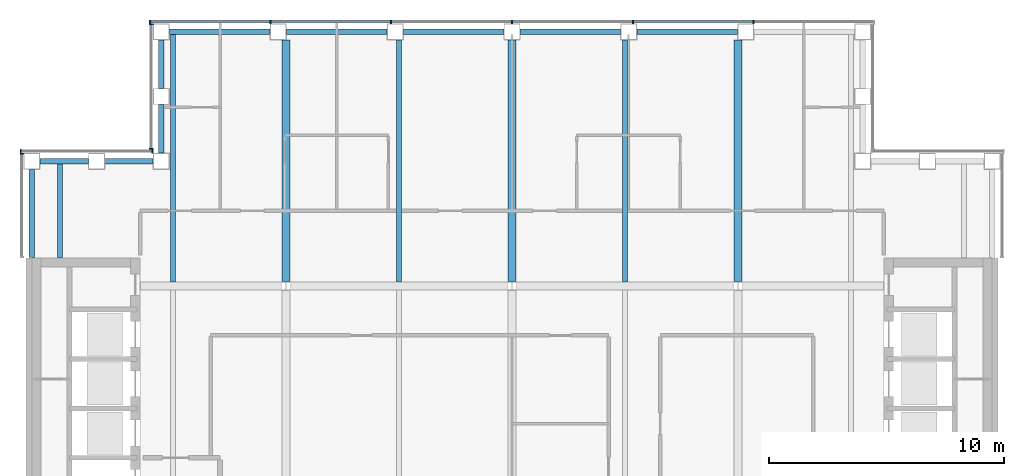
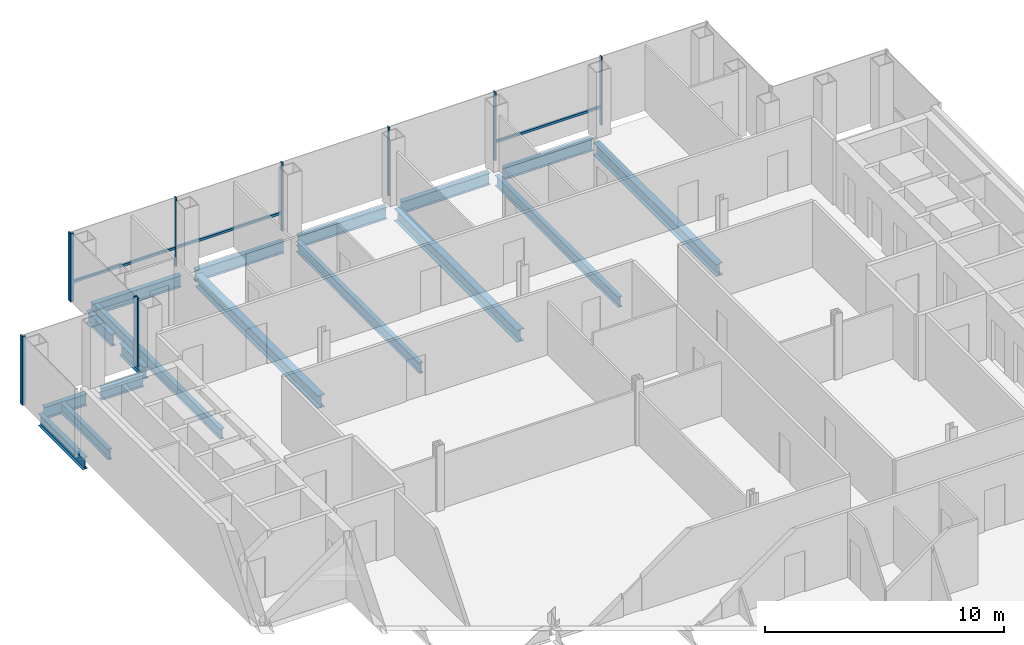
# One storey, part 7 of 15: 17 beams, 14 members, 4 elements without a shape of their own.
"""IFC4 building model written with IfcOpenShell, lengths in metres."""

from ifc_helpers import new_model, si_unit, direction, frame, origin, origin_2d, place, context, subcontext, project, spatial, rectangle, i_section, extrude, material, material_profile, profile_set, type_object, element, aggregate, save


model = new_model("IFC4")

# Units and contexts
model_context = context("Model", 3, precision=1e-05, world=origin(), true_north=direction((0.0, 1.0)))
body_context = subcontext(model_context, "Body", "Model", "MODEL_VIEW")
ifc_project = project(units=[si_unit("LENGTHUNIT", "METRE"), si_unit("AREAUNIT", "SQUARE_METRE"), si_unit("VOLUMEUNIT", "CUBIC_METRE"), si_unit("PLANEANGLEUNIT", "RADIAN"), si_unit("MASSUNIT", "GRAM", prefix="KILO")], contexts=[model_context])

# Site, building, storey
site_placement = place(None, origin())
site = spatial("IfcSite", under=ifc_project, at=site_placement, CompositionType="ELEMENT")
building_placement = place(site_placement, origin())
building = spatial("IfcBuilding", under=site, at=building_placement, Name="Cobrizo Arcos Hotel Tower", CompositionType="ELEMENT")
storey_placement = place(building_placement, frame((0.0, 0.0, 201.5)))
storey = spatial("IfcBuildingStorey", under=building, at=storey_placement, Name="L52", CompositionType="ELEMENT", Elevation=201.5)

# Curtain wall, members
ifc_material_1 = material(Name="Aluminium 6063-T6 anodised bronze", Category="aluminium")
curtain_wall_type = type_object("IfcCurtainWallType", Name="CW-A guest facade", PredefinedType="NOTDEFINED", material=ifc_material_1)
curtain_wall_1_placement = place(storey_placement, origin())
curtain_wall_1 = element("IfcCurtainWall", 1, at=curtain_wall_1_placement, inside=storey, type_object=curtain_wall_type, Name="CW-A L52 N face", PredefinedType="NOTDEFINED")
ifc_material_profile_1 = material_profile(ifc_material_1, rectangle(XDim=0.14990234375, YDim=0.06005859375, at=origin_2d()), Name="CW-A mullion 150x60")
ifc_profile_set_1 = profile_set([ifc_material_profile_1], Name="Aluminium 6063-T6 anodised bronze")
member_type_1 = type_object("IfcMemberType", Name="CW-A mullion 150x60", PredefinedType="MULLION", material=ifc_profile_set_1)
member_1_placement = place(storey_placement, frame((10.2666015625, 20.824951171875, 0.0), z_axis=(0.0, 0.0, 1.0), x_axis=(0.0, 1.0, 0.0)))
member_1 = element("IfcMember", 2, at=member_1_placement, type_object=member_type_1, Name="CW-A mullion 2", PredefinedType="MULLION", context=body_context, shape_type="SweptSolid", body=[
    extrude(rectangle(XDim=0.14990234375, YDim=0.06005859375, at=origin_2d()), origin(), (0.0, 0.0, 1.0), 3.5),
])
member_2_placement = place(storey_placement, frame((5.13330078125, 20.824951171875, 0.0), z_axis=(0.0, 0.0, 1.0), x_axis=(0.0, 1.0, 0.0)))
member_2 = element("IfcMember", 3, at=member_2_placement, type_object=member_type_1, Name="CW-A mullion 3", PredefinedType="MULLION", context=body_context, shape_type="SweptSolid", body=[
    extrude(rectangle(XDim=0.14990234375, YDim=0.06005859375, at=origin_2d()), origin(), (0.0, 0.0, 1.0), 3.5),
])
member_3_placement = place(storey_placement, frame((0.0, 20.824951171875, 0.0), z_axis=(0.0, 0.0, 1.0), x_axis=(0.0, 1.0, 0.0)))
member_3 = element("IfcMember", 4, at=member_3_placement, type_object=member_type_1, Name="CW-A mullion 4", PredefinedType="MULLION", context=body_context, shape_type="SweptSolid", body=[
    extrude(rectangle(XDim=0.14990234375, YDim=0.06005859375, at=origin_2d()), origin(), (0.0, 0.0, 1.0), 3.5),
])
member_4_placement = place(storey_placement, frame((-5.13330078125, 20.824951171875, 0.0), z_axis=(0.0, 0.0, 1.0), x_axis=(0.0, 1.0, 0.0)))
member_4 = element("IfcMember", 5, at=member_4_placement, type_object=member_type_1, Name="CW-A mullion 5", PredefinedType="MULLION", context=body_context, shape_type="SweptSolid", body=[
    extrude(rectangle(XDim=0.14990234375, YDim=0.06005859375, at=origin_2d()), origin(), (0.0, 0.0, 1.0), 3.5),
])
member_5_placement = place(storey_placement, frame((-10.2666015625, 20.824951171875, 0.0), z_axis=(0.0, 0.0, 1.0), x_axis=(0.0, 1.0, 0.0)))
member_5 = element("IfcMember", 6, at=member_5_placement, type_object=member_type_1, Name="CW-A mullion 6", PredefinedType="MULLION", context=body_context, shape_type="SweptSolid", body=[
    extrude(rectangle(XDim=0.14990234375, YDim=0.06005859375, at=origin_2d()), origin(), (0.0, 0.0, 1.0), 3.5),
])
member_6_placement = place(storey_placement, frame((-15.3701171875, 20.824951171875, 0.0), z_axis=(0.0, 0.0, 1.0), x_axis=(0.0, 1.0, 0.0)))
member_6 = element("IfcMember", 7, at=member_6_placement, type_object=member_type_1, Name="CW-A mullion 7", PredefinedType="MULLION", context=body_context, shape_type="SweptSolid", body=[
    extrude(rectangle(XDim=0.14990234375, YDim=0.06005859375, at=origin_2d()), origin(), (0.0, 0.0, 1.0), 3.5),
])

curtain_wall_2_placement = place(storey_placement, origin())
curtain_wall_2 = element("IfcCurtainWall", 8, at=curtain_wall_2_placement, inside=storey, type_object=curtain_wall_type, Name="CW-A L52 W face", PredefinedType="NOTDEFINED")
member_7_placement = place(storey_placement, frame((-15.324951171875, 20.719970703125, 0.0), z_axis=(0.0, 0.0, 1.0), x_axis=(-1.0, 0.0, 0.0)))
member_7 = element("IfcMember", 9, at=member_7_placement, type_object=member_type_1, Name="CW-A mullion 1", PredefinedType="MULLION", context=body_context, shape_type="SweptSolid", body=[
    extrude(rectangle(XDim=0.14990234375, YDim=0.06005859375, at=origin_2d()), origin(), (0.0, 0.0, 1.0), 3.5),
])
member_8_placement = place(storey_placement, frame((-15.324951171875, 15.429931640625, 0.0), z_axis=(0.0, 0.0, 1.0), x_axis=(-1.0, 0.0, 0.0)))
member_8 = element("IfcMember", 10, at=member_8_placement, type_object=member_type_1, Name="CW-A mullion 2", PredefinedType="MULLION", context=body_context, shape_type="SweptSolid", body=[
    extrude(rectangle(XDim=0.14990234375, YDim=0.06005859375, at=origin_2d()), origin(), (0.0, 0.0, 1.0), 3.5),
])
aggregate(curtain_wall_2, [member_7, member_8])

curtain_wall_3_placement = place(storey_placement, origin())
curtain_wall_3 = element("IfcCurtainWall", 11, at=curtain_wall_3_placement, inside=storey, type_object=curtain_wall_type, Name="CW-A L52 N face", PredefinedType="NOTDEFINED")
member_9_placement = place(storey_placement, frame((-15.280029296875, 15.324951171875, 0.0), z_axis=(0.0, 0.0, 1.0), x_axis=(0.0, 1.0, 0.0)))
member_9 = element("IfcMember", 12, at=member_9_placement, type_object=member_type_1, Name="CW-A mullion 1", PredefinedType="MULLION", context=body_context, shape_type="SweptSolid", body=[
    extrude(rectangle(XDim=0.14990234375, YDim=0.06005859375, at=origin_2d()), origin(), (0.0, 0.0, 1.0), 3.5),
])
member_10_placement = place(storey_placement, frame((-20.8701171875, 15.324951171875, 0.0), z_axis=(0.0, 0.0, 1.0), x_axis=(0.0, 1.0, 0.0)))
member_10 = element("IfcMember", 13, at=member_10_placement, type_object=member_type_1, Name="CW-A mullion 2", PredefinedType="MULLION", context=body_context, shape_type="SweptSolid", body=[
    extrude(rectangle(XDim=0.14990234375, YDim=0.06005859375, at=origin_2d()), origin(), (0.0, 0.0, 1.0), 3.5),
])
aggregate(curtain_wall_3, [member_9, member_10])

# Curtain wall, member
curtain_wall_4_placement = place(storey_placement, origin())
curtain_wall_4 = element("IfcCurtainWall", 14, at=curtain_wall_4_placement, inside=storey, type_object=curtain_wall_type, Name="CW-A L52 W face", PredefinedType="NOTDEFINED")
member_11_placement = place(storey_placement, frame((-20.824951171875, 15.219970703125, 0.0), z_axis=(0.0, 0.0, 1.0), x_axis=(-1.0, 0.0, 0.0)))
member_11 = element("IfcMember", 15, at=member_11_placement, type_object=member_type_1, Name="CW-A mullion 1", PredefinedType="MULLION", context=body_context, shape_type="SweptSolid", body=[
    extrude(rectangle(XDim=0.14990234375, YDim=0.06005859375, at=origin_2d()), origin(), (0.0, 0.0, 1.0), 3.5),
])
aggregate(curtain_wall_4, [member_11])

# Member
ifc_material_profile_2 = material_profile(ifc_material_1, rectangle(XDim=0.10009765625, YDim=0.1201171875, at=origin_2d()), Name="CW-A transom 120x100")
ifc_profile_set_2 = profile_set([ifc_material_profile_2], Name="Aluminium 6063-T6 anodised bronze")
member_type_2 = type_object("IfcMemberType", Name="CW-A transom 120x100", PredefinedType="USERDEFINED", material=ifc_profile_set_2)
member_12_placement = place(storey_placement, frame((10.236572265625, 20.824951171875, 0.929931640625), z_axis=(-1.0, 0.0, 0.0), x_axis=(0.0, -1.0, 0.0)))
member_12 = element("IfcMember", 16, at=member_12_placement, type_object=member_type_2, Name="CW-A transom 1781", ObjectType="TRANSOM", PredefinedType="USERDEFINED", context=body_context, shape_type="SweptSolid", body=[
    extrude(rectangle(XDim=0.10009765625, YDim=0.1201171875, at=origin_2d()), origin(), (0.0, 0.0, 1.0), 5.0732421875),
])

member_13_placement = place(storey_placement, frame((-5.163330078125, 20.824951171875, 0.929931640625), z_axis=(-1.0, 0.0, 0.0), x_axis=(0.0, -1.0, 0.0)))
member_13 = element("IfcMember", 17, at=member_13_placement, type_object=member_type_2, Name="CW-A transom 1784", ObjectType="TRANSOM", PredefinedType="USERDEFINED", context=body_context, shape_type="SweptSolid", body=[
    extrude(rectangle(XDim=0.10009765625, YDim=0.1201171875, at=origin_2d()), origin(), (0.0, 0.0, 1.0), 5.0732421875),
])

member_14_placement = place(storey_placement, frame((-10.296630859375, 20.824951171875, 0.929931640625), z_axis=(-1.0, 0.0, 0.0), x_axis=(0.0, -1.0, 0.0)))
member_14 = element("IfcMember", 18, at=member_14_placement, type_object=member_type_2, Name="CW-A transom 1785", ObjectType="TRANSOM", PredefinedType="USERDEFINED", context=body_context, shape_type="SweptSolid", body=[
    extrude(rectangle(XDim=0.10009765625, YDim=0.1201171875, at=origin_2d()), origin(), (0.0, 0.0, 1.0), 5.04345703125),
])

aggregate(curtain_wall_1, [member_1, member_2, member_3, member_4, member_5, member_6, member_12, member_13, member_14])

# Beams
ifc_material_2 = material(Name="Steel ASTM A992 Grade 50", Category="steel")
ifc_material_profile_3 = material_profile(ifc_material_2, i_section(OverallWidth=0.209228515625, OverallDepth=0.533447265625, WebThickness=0.01025390625, FlangeThickness=0.015625, at=origin_2d()), Name="W21X62")
ifc_profile_set_3 = profile_set([ifc_material_profile_3], Name="Steel ASTM A992 Grade 50")
beam_type_1 = type_object("IfcBeamType", Name="W21X62 joist", PredefinedType="JOIST", material=ifc_profile_set_3)
beam_1_placement = place(storey_placement, frame((-19.199951171875, 10.81005859375, -0.416748046875), z_axis=(0.0, 1.0, 0.0), x_axis=(-1.0, 0.0, 0.0)))
element("IfcBeam", 19, at=beam_1_placement, inside=storey, type_object=beam_type_1, Name="Floor joist J1, L52, no. 002", PredefinedType="JOIST", context=body_context, shape_type="SweptSolid", body=[
    extrude(i_section(OverallWidth=0.209228515625, OverallDepth=0.533447265625, WebThickness=0.01025390625, FlangeThickness=0.015625, at=origin_2d()), origin(), (0.0, 0.0, 1.0), 4.0),
])
beam_2_placement = place(storey_placement, frame((-14.39990234375, 9.763916015625, -0.416748046875), z_axis=(0.0, 1.0, 0.0), x_axis=(-1.0, 0.0, 0.0)))
element("IfcBeam", 20, at=beam_2_placement, inside=storey, type_object=beam_type_1, Name="Floor joist J1, L52, no. 006", PredefinedType="JOIST", context=body_context, shape_type="SweptSolid", body=[
    extrude(i_section(OverallWidth=0.209228515625, OverallDepth=0.533447265625, WebThickness=0.01025390625, FlangeThickness=0.015625, at=origin_2d()), origin(), (0.0, 0.0, 1.0), 10.546142578125),
])
for number, where, z_axis, x_axis, name in (
    (21, (-4.800048828125, 9.763916015625, -0.416748046875), (0.0, 1.0, 0.0), (-1.0, 0.0, 0.0), "Floor joist J1, L52, no. 010"),
    (22, (4.800048828125, 9.763916015625, -0.416748046875), (0.0, 1.0, 0.0), (-1.0, 0.0, 0.0), "Floor joist J1, L52, no. 014"),
):
    element("IfcBeam", number, at=place(storey_placement, frame(where, z_axis=z_axis, x_axis=x_axis)), inside=storey, type_object=beam_type_1, Name=name, PredefinedType="JOIST", context=body_context, shape_type="SweptSolid", body=[
        extrude(i_section(OverallWidth=0.209228515625, OverallDepth=0.533447265625, WebThickness=0.01025390625, FlangeThickness=0.015625, at=origin_2d()), origin(), (0.0, 0.0, 1.0), 10.2861328125),
    ])
ifc_material_profile_4 = material_profile(ifc_material_2, i_section(OverallWidth=0.32763671875, OverallDepth=0.622314453125, WebThickness=0.015380859375, FlangeThickness=0.0244140625, at=origin_2d()), Name="W24X131")
ifc_profile_set_4 = profile_set([ifc_material_profile_4], Name="Steel ASTM A992 Grade 50")
beam_type_2 = type_object("IfcBeamType", Name="W24X131 girder", PredefinedType="BEAM", material=ifc_profile_set_4)
for number, where, z_axis, x_axis, name in (
    (23, (-9.60009765625, 9.78662109375, -0.461181640625), (0.0, 1.0, 0.0), (-1.0, 0.0, 0.0), "Floor girder G1, L52, no. 016"),
    (24, (0.0, 9.78662109375, -0.461181640625), (0.0, 1.0, 0.0), (-1.0, 0.0, 0.0), "Floor girder G1, L52, no. 020"),
    (25, (9.60009765625, 9.78662109375, -0.461181640625), (0.0, 1.0, 0.0), (-1.0, 0.0, 0.0), "Floor girder G1, L52, no. 024"),
):
    element("IfcBeam", number, at=place(storey_placement, frame(where, z_axis=z_axis, x_axis=x_axis)), inside=storey, type_object=beam_type_2, Name=name, PredefinedType="BEAM", context=body_context, shape_type="SweptSolid", body=[
        extrude(i_section(OverallWidth=0.32763671875, OverallDepth=0.622314453125, WebThickness=0.015380859375, FlangeThickness=0.0244140625, at=origin_2d()), origin(), (0.0, 0.0, 1.0), 10.263427734375),
    ])
ifc_material_profile_5 = material_profile(ifc_material_2, i_section(OverallWidth=0.228271484375, OverallDepth=0.607177734375, WebThickness=0.01123046875, FlangeThickness=0.017333984375, at=origin_2d()), Name="W24X76")
ifc_profile_set_5 = profile_set([ifc_material_profile_5], Name="Steel ASTM A992 Grade 50")
beam_type_3 = type_object("IfcBeamType", Name="W24X76 spandrel", PredefinedType="SPANDREL", material=ifc_profile_set_5)
beam_3_placement = place(storey_placement, frame((9.5830078125, 20.39990234375, -0.45361328125), z_axis=(-1.0, 0.0, 0.0), x_axis=(0.0, -1.0, 0.0)))
element("IfcBeam", 26, at=beam_3_placement, inside=storey, type_object=beam_type_3, Name="Spandrel beam W24X76, L52, no. 018", PredefinedType="SPANDREL", context=body_context, shape_type="SweptSolid", body=[
    extrude(i_section(OverallWidth=0.228271484375, OverallDepth=0.607177734375, WebThickness=0.01123046875, FlangeThickness=0.017333984375, at=origin_2d()), origin(), (0.0, 0.0, 1.0), 4.26611328125),
])
for number, where, z_axis, x_axis, name in (
    (27, (4.616943359375, 20.39990234375, -0.45361328125), (-1.0, 0.0, 0.0), (0.0, -1.0, 0.0), "Spandrel beam W24X76, L52, no. 019"),
    (28, (-0.35009765625, 20.39990234375, -0.45361328125), (-1.0, 0.0, 0.0), (0.0, -1.0, 0.0), "Spandrel beam W24X76, L52, no. 020"),
):
    element("IfcBeam", number, at=place(storey_placement, frame(where, z_axis=z_axis, x_axis=x_axis)), inside=storey, type_object=beam_type_3, Name=name, PredefinedType="SPANDREL", context=body_context, shape_type="SweptSolid", body=[
        extrude(i_section(OverallWidth=0.228271484375, OverallDepth=0.607177734375, WebThickness=0.01123046875, FlangeThickness=0.017333984375, at=origin_2d()), origin(), (0.0, 0.0, 1.0), 4.266845703125),
    ])
beam_4_placement = place(storey_placement, frame((-5.31689453125, 20.39990234375, -0.45361328125), z_axis=(-1.0, 0.0, 0.0), x_axis=(0.0, -1.0, 0.0)))
element("IfcBeam", 29, at=beam_4_placement, inside=storey, type_object=beam_type_3, Name="Spandrel beam W24X76, L52, no. 021", PredefinedType="SPANDREL", context=body_context, shape_type="SweptSolid", body=[
    extrude(i_section(OverallWidth=0.228271484375, OverallDepth=0.607177734375, WebThickness=0.01123046875, FlangeThickness=0.017333984375, at=origin_2d()), origin(), (0.0, 0.0, 1.0), 4.26611328125),
])
beam_5_placement = place(storey_placement, frame((-10.282958984375, 20.39990234375, -0.45361328125), z_axis=(-1.0, 0.0, 0.0), x_axis=(0.0, -1.0, 0.0)))
element("IfcBeam", 30, at=beam_5_placement, inside=storey, type_object=beam_type_3, Name="Spandrel beam W24X76, L52, no. 022", PredefinedType="SPANDREL", context=body_context, shape_type="SweptSolid", body=[
    extrude(i_section(OverallWidth=0.228271484375, OverallDepth=0.607177734375, WebThickness=0.01123046875, FlangeThickness=0.017333984375, at=origin_2d()), origin(), (0.0, 0.0, 1.0), 4.26708984375),
])
for number, where, z_axis, x_axis, name in (
    (31, (-14.89990234375, 20.050048828125, -0.45361328125), (0.0, -1.0, 0.0), (1.0, 0.0, 0.0), "Spandrel beam W24X76, L52, no. 023"),
    (32, (-14.89990234375, 17.300048828125, -0.45361328125), (0.0, -1.0, 0.0), (1.0, 0.0, 0.0), "Spandrel beam W24X76, L52, no. 024"),
    (33, (-15.25, 14.89990234375, -0.45361328125), (-1.0, 0.0, 0.0), (0.0, -1.0, 0.0), "Spandrel beam W24X76, L52, no. 025"),
    (34, (-18.0, 14.89990234375, -0.45361328125), (-1.0, 0.0, 0.0), (0.0, -1.0, 0.0), "Spandrel beam W24X76, L52, no. 026"),
):
    element("IfcBeam", number, at=place(storey_placement, frame(where, z_axis=z_axis, x_axis=x_axis)), inside=storey, type_object=beam_type_3, Name=name, PredefinedType="SPANDREL", context=body_context, shape_type="SweptSolid", body=[
        extrude(i_section(OverallWidth=0.228271484375, OverallDepth=0.607177734375, WebThickness=0.01123046875, FlangeThickness=0.017333984375, at=origin_2d()), origin(), (0.0, 0.0, 1.0), 2.050048828125),
    ])
beam_6_placement = place(storey_placement, frame((-20.39990234375, 14.550048828125, -0.45361328125), z_axis=(0.0, -1.0, 0.0), x_axis=(1.0, 0.0, 0.0)))
element("IfcBeam", 35, at=beam_6_placement, inside=storey, type_object=beam_type_3, Name="Spandrel beam W24X76, L52, no. 027", PredefinedType="SPANDREL", context=body_context, shape_type="SweptSolid", body=[
    extrude(i_section(OverallWidth=0.228271484375, OverallDepth=0.607177734375, WebThickness=0.01123046875, FlangeThickness=0.017333984375, at=origin_2d()), origin(), (0.0, 0.0, 1.0), 3.739990234375),
])

save(model, "model.ifc")
